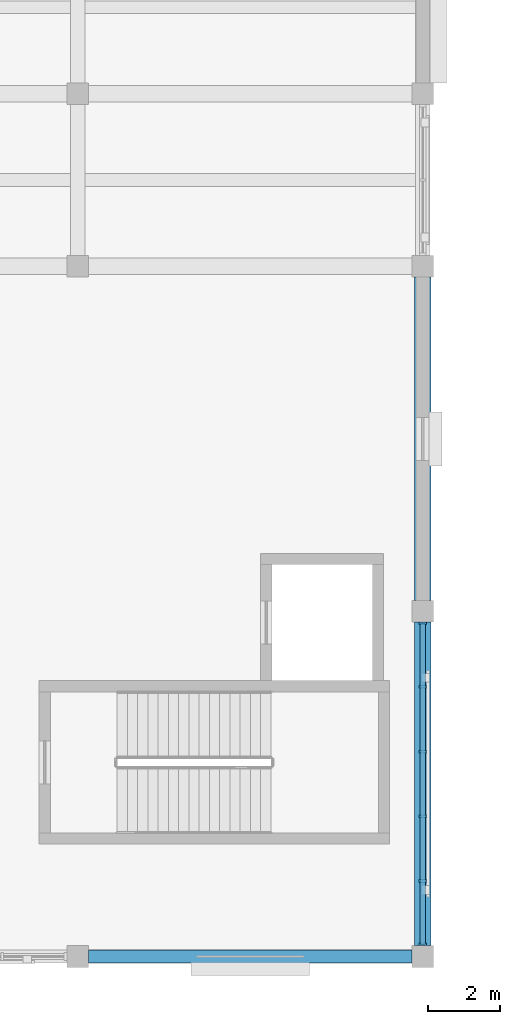
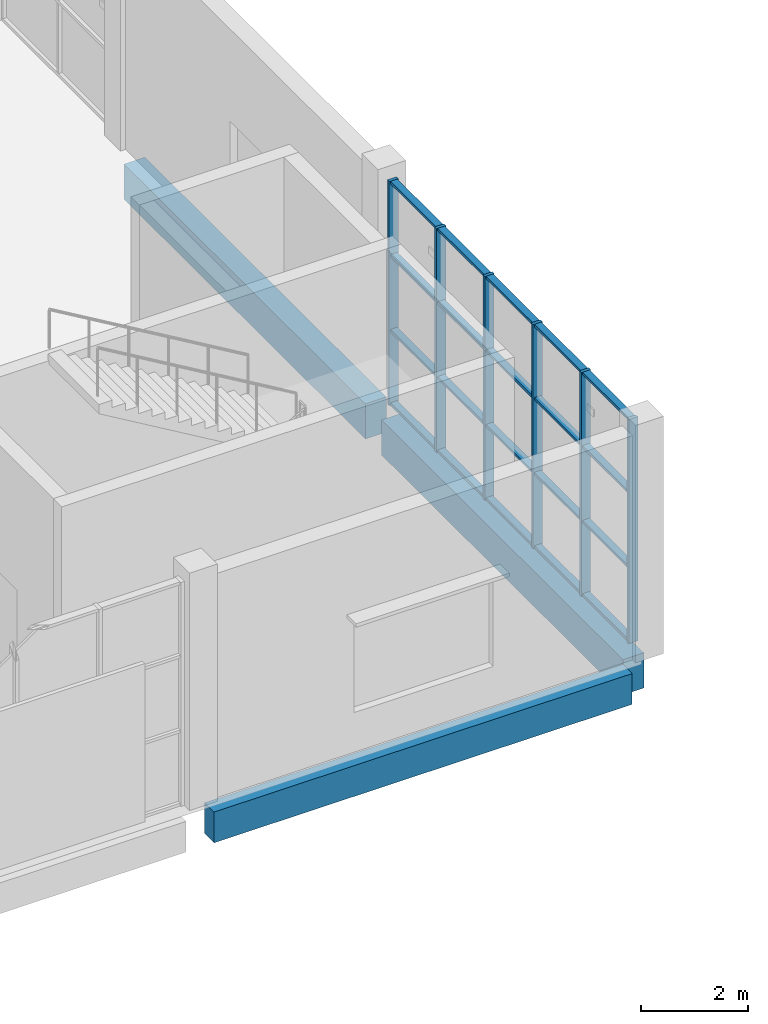
# One storey, part 11 of 72: 10 members, 3 beams, 1 element without a shape of its own.
"""IFC4 building model written with IfcOpenShell, lengths in metres."""

from ifc_helpers import new_model, si_unit, direction, frame, origin, origin_2d, place, context, subcontext, project, spatial, rectangle, extrude, material, material_profile, profile_set, type_object, element, aggregate, save


model = new_model("IFC4")

# Units and contexts
model_context = context("Model", 3, precision=1e-05, world=origin(), true_north=direction((0.0, 1.0)))
body_context = subcontext(model_context, "Body", "Model", "MODEL_VIEW")
ifc_project = project(units=[si_unit("LENGTHUNIT", "METRE"), si_unit("AREAUNIT", "SQUARE_METRE"), si_unit("VOLUMEUNIT", "CUBIC_METRE"), si_unit("PLANEANGLEUNIT", "RADIAN"), si_unit("MASSUNIT", "GRAM", prefix="KILO")], contexts=[model_context])

# Site, building, storey
site_placement = place(None, origin())
site = spatial("IfcSite", under=ifc_project, at=site_placement, CompositionType="ELEMENT")
building_placement = place(site_placement, origin())
building = spatial("IfcBuilding", under=site, at=building_placement, Name="Shalvenor Court Art Gallery", CompositionType="ELEMENT")
storey_placement = place(building_placement, frame((0.0, 0.0, 11.39990234375)))
storey = spatial("IfcBuildingStorey", under=building, at=storey_placement, Name="L02", CompositionType="ELEMENT", Elevation=11.39990234375)

# Beams
ifc_material_1 = material(Name="Concrete C40/50", Category="concrete")
ifc_material_profile_1 = material_profile(ifc_material_1, rectangle(XDim=0.449951171875, YDim=0.800048828125, at=origin_2d()), Name="RC 450x800")
ifc_profile_set_1 = profile_set([ifc_material_profile_1], Name="Concrete C40/50")
beam_type_1 = type_object("IfcBeamType", Name="B-03", PredefinedType="BEAM", material=ifc_profile_set_1)
for number, where, z_axis, x_axis, name in (
    (1, (124.800048828125, 0.300048828125, -0.719970703125), (0.0, 1.0, 0.0), (-1.0, 0.0, 0.0), "L02 Girder BM-L02-B-03-0762"),
    (2, (124.800048828125, 9.89990234375, -0.719970703125), (0.0, 1.0, 0.0), (-1.0, 0.0, 0.0), "L02 Girder BM-L02-B-03-0763"),
):
    element("IfcBeam", number, at=place(storey_placement, frame(where, z_axis=z_axis, x_axis=x_axis)), inside=storey, type_object=beam_type_1, Name=name, PredefinedType="BEAM", context=body_context, shape_type="SweptSolid", body=[
        extrude(rectangle(XDim=0.449951171875, YDim=0.800048828125, at=origin_2d()), origin(), (0.0, 0.0, 1.0), 9.0),
    ])

# Curtain wall, members
ifc_material_2 = material(Name="Anodised aluminium and low-iron glass curtain wall", Category="aluminium")
curtain_wall_type = type_object("IfcCurtainWallType", Name="CW-5x3-90-51-212", PredefinedType="USERDEFINED", material=ifc_material_2)
curtain_wall_placement = place(storey_placement, origin())
curtain_wall = element("IfcCurtainWall", 3, at=curtain_wall_placement, inside=storey, type_object=curtain_wall_type, Name="L02 V3 Curtain Wall CW-L02-105", ObjectType="CURTAIN WALL", PredefinedType="USERDEFINED")
ifc_material_3 = material(Name="Anodised aluminium mullion", Category="aluminium")
ifc_material_profile_2 = material_profile(ifc_material_3, rectangle(XDim=0.070068359375, YDim=0.199951171875, at=origin_2d()), Name="CWM-02")
ifc_profile_set_2 = profile_set([ifc_material_profile_2], Name="Anodised aluminium mullion")
member_type_1 = type_object("IfcMemberType", Name="CWM-02", PredefinedType="MULLION", material=ifc_profile_set_2)
member_1_placement = place(storey_placement, frame((124.800048828125, 9.264892578125, 0.0), z_axis=(0.0, 0.0, 1.0), x_axis=(0.0, -1.0, 0.0)))
member_1 = element("IfcMember", 4, at=member_1_placement, type_object=member_type_1, Name="CW-5x3-90-51-212 mullion 1", PredefinedType="MULLION", context=body_context, shape_type="SweptSolid", body=[
    extrude(rectangle(XDim=0.070068359375, YDim=0.199951171875, at=origin_2d()), origin(), (0.0, 0.0, 1.0), 5.10009765625),
])
member_2_placement = place(storey_placement, frame((124.800048828125, 7.5, 0.0), z_axis=(0.0, 0.0, 1.0), x_axis=(0.0, -1.0, 0.0)))
member_2 = element("IfcMember", 5, at=member_2_placement, type_object=member_type_1, Name="CW-5x3-90-51-212 mullion 2", PredefinedType="MULLION", context=body_context, shape_type="SweptSolid", body=[
    extrude(rectangle(XDim=0.070068359375, YDim=0.199951171875, at=origin_2d()), origin(), (0.0, 0.0, 1.0), 5.10009765625),
])
member_3_placement = place(storey_placement, frame((124.800048828125, 5.699951171875, 0.0), z_axis=(0.0, 0.0, 1.0), x_axis=(0.0, -1.0, 0.0)))
member_3 = element("IfcMember", 6, at=member_3_placement, type_object=member_type_1, Name="CW-5x3-90-51-212 mullion 3", PredefinedType="MULLION", context=body_context, shape_type="SweptSolid", body=[
    extrude(rectangle(XDim=0.070068359375, YDim=0.199951171875, at=origin_2d()), origin(), (0.0, 0.0, 1.0), 5.10009765625),
])
member_4_placement = place(storey_placement, frame((124.800048828125, 3.89990234375, 0.0), z_axis=(0.0, 0.0, 1.0), x_axis=(0.0, -1.0, 0.0)))
member_4 = element("IfcMember", 7, at=member_4_placement, type_object=member_type_1, Name="CW-5x3-90-51-212 mullion 4", PredefinedType="MULLION", context=body_context, shape_type="SweptSolid", body=[
    extrude(rectangle(XDim=0.070068359375, YDim=0.199951171875, at=origin_2d()), origin(), (0.0, 0.0, 1.0), 5.10009765625),
])
member_5_placement = place(storey_placement, frame((124.800048828125, 2.10009765625, 0.0), z_axis=(0.0, 0.0, 1.0), x_axis=(0.0, -1.0, 0.0)))
member_5 = element("IfcMember", 8, at=member_5_placement, type_object=member_type_1, Name="CW-5x3-90-51-212 mullion 5", PredefinedType="MULLION", context=body_context, shape_type="SweptSolid", body=[
    extrude(rectangle(XDim=0.070068359375, YDim=0.199951171875, at=origin_2d()), origin(), (0.0, 0.0, 1.0), 5.10009765625),
])
member_6_placement = place(storey_placement, frame((124.800048828125, 0.3349609375, 0.0), z_axis=(0.0, 0.0, 1.0), x_axis=(0.0, -1.0, 0.0)))
member_6 = element("IfcMember", 9, at=member_6_placement, type_object=member_type_1, Name="CW-5x3-90-51-212 mullion 6", PredefinedType="MULLION", context=body_context, shape_type="SweptSolid", body=[
    extrude(rectangle(XDim=0.070068359375, YDim=0.199951171875, at=origin_2d()), origin(), (0.0, 0.0, 1.0), 5.10009765625),
])
ifc_material_4 = material(Name="Anodised aluminium transom", Category="aluminium")
ifc_material_profile_3 = material_profile(ifc_material_4, rectangle(XDim=0.14990234375, YDim=0.06005859375, at=origin_2d()), Name="CWT-01")
ifc_profile_set_3 = profile_set([ifc_material_profile_3], Name="Anodised aluminium transom")
member_type_2 = type_object("IfcMemberType", Name="CWT-01", PredefinedType="USERDEFINED", material=ifc_profile_set_3)
member_7_placement = place(storey_placement, frame((124.800048828125, 9.264892578125, 0.030029296875), z_axis=(0.0, -1.0, 0.0), x_axis=(1.0, 0.0, 0.0)))
member_7 = element("IfcMember", 10, at=member_7_placement, type_object=member_type_2, Name="CW-5x3-90-51-212 transom 1", ObjectType="TRANSOM", PredefinedType="USERDEFINED", context=body_context, shape_type="SweptSolid", body=[
    extrude(rectangle(XDim=0.14990234375, YDim=0.06005859375, at=origin_2d()), origin(), (0.0, 0.0, 1.0), 8.929931640625),
])
member_8_placement = place(storey_placement, frame((124.800048828125, 9.264892578125, 1.7001953125), z_axis=(0.0, -1.0, 0.0), x_axis=(1.0, 0.0, 0.0)))
member_8 = element("IfcMember", 11, at=member_8_placement, type_object=member_type_2, Name="CW-5x3-90-51-212 transom 2", ObjectType="TRANSOM", PredefinedType="USERDEFINED", context=body_context, shape_type="SweptSolid", body=[
    extrude(rectangle(XDim=0.14990234375, YDim=0.06005859375, at=origin_2d()), origin(), (0.0, 0.0, 1.0), 8.929931640625),
])
member_9_placement = place(storey_placement, frame((124.800048828125, 9.264892578125, 3.400146484375), z_axis=(0.0, -1.0, 0.0), x_axis=(1.0, 0.0, 0.0)))
member_9 = element("IfcMember", 12, at=member_9_placement, type_object=member_type_2, Name="CW-5x3-90-51-212 transom 3", ObjectType="TRANSOM", PredefinedType="USERDEFINED", context=body_context, shape_type="SweptSolid", body=[
    extrude(rectangle(XDim=0.14990234375, YDim=0.06005859375, at=origin_2d()), origin(), (0.0, 0.0, 1.0), 8.929931640625),
])
member_10_placement = place(storey_placement, frame((124.800048828125, 9.264892578125, 5.070068359375), z_axis=(0.0, -1.0, 0.0), x_axis=(1.0, 0.0, 0.0)))
member_10 = element("IfcMember", 13, at=member_10_placement, type_object=member_type_2, Name="CW-5x3-90-51-212 transom 4", ObjectType="TRANSOM", PredefinedType="USERDEFINED", context=body_context, shape_type="SweptSolid", body=[
    extrude(rectangle(XDim=0.14990234375, YDim=0.06005859375, at=origin_2d()), origin(), (0.0, 0.0, 1.0), 8.929931640625),
])
aggregate(curtain_wall, [member_1, member_2, member_3, member_4, member_5, member_6, member_7, member_8, member_9, member_10])

# Beam
ifc_material_5 = material(Name="Concrete C40/50", Category="concrete")
ifc_material_profile_4 = material_profile(ifc_material_5, rectangle(XDim=0.35009765625, YDim=0.699951171875, at=origin_2d()), Name="RC 350x700")
ifc_profile_set_4 = profile_set([ifc_material_profile_4], Name="Concrete C40/50")
beam_type_2 = type_object("IfcBeamType", Name="SP-01", PredefinedType="SPANDREL", material=ifc_profile_set_4)
beam_placement = place(storey_placement, frame((115.5, 0.0, -0.669921875), z_axis=(1.0, 0.0, 0.0), x_axis=(0.0, 1.0, 0.0)))
element("IfcBeam", 14, at=beam_placement, inside=storey, type_object=beam_type_2, Name="L02 Spandrel Girder BM-L02-SP-01-0806", PredefinedType="SPANDREL", context=body_context, shape_type="SweptSolid", body=[
    extrude(rectangle(XDim=0.35009765625, YDim=0.699951171875, at=origin_2d()), origin(), (0.0, 0.0, 1.0), 9.0),
])

save(model, "model.ifc")
